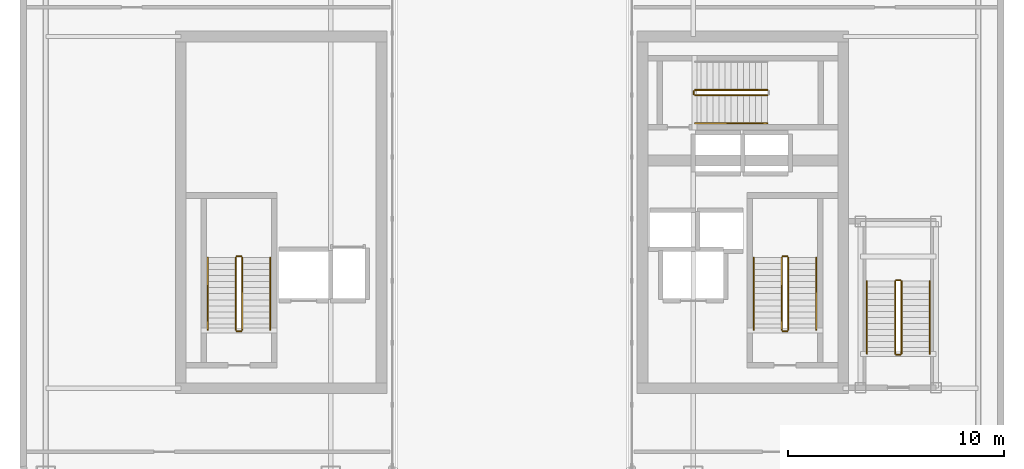
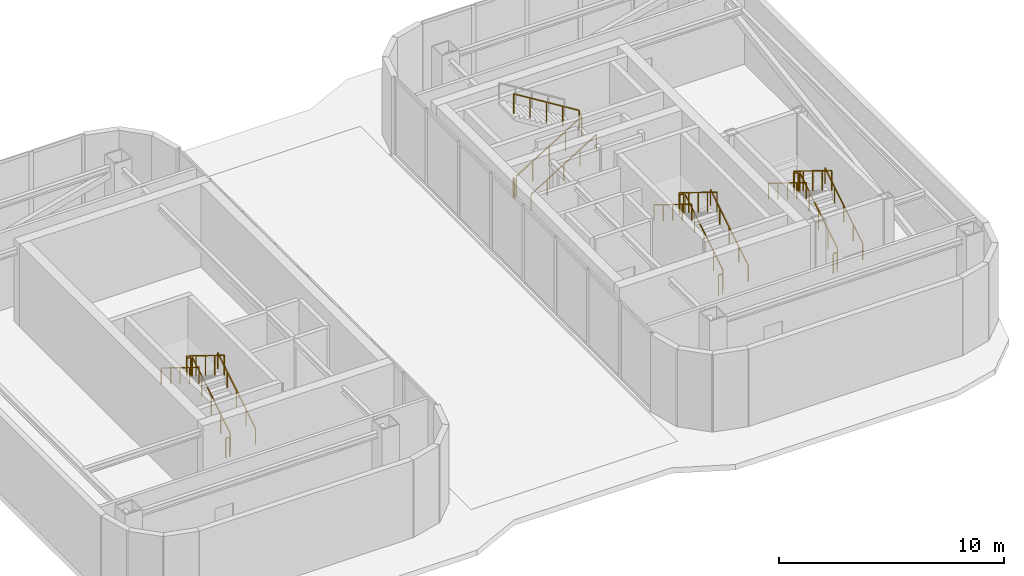
# One storey, part 13 of 14: 22 railings.
"""IFC4 building model written with IfcOpenShell, lengths in metres."""

from ifc_helpers import new_model, si_unit, direction, frame, origin, origin_2d, place, context, subcontext, project, spatial, rectangle, extrude, material, type_object, element, save


model = new_model("IFC4")

# Units and contexts
model_context = context("Model", 3, precision=1e-05, world=origin(), true_north=direction((0.0, 1.0)))
body_context = subcontext(model_context, "Body", "Model", "MODEL_VIEW")
ifc_project = project(units=[si_unit("LENGTHUNIT", "METRE"), si_unit("AREAUNIT", "SQUARE_METRE"), si_unit("VOLUMEUNIT", "CUBIC_METRE"), si_unit("PLANEANGLEUNIT", "RADIAN"), si_unit("MASSUNIT", "GRAM", prefix="KILO")], contexts=[model_context])

# Site, building, storey
site_placement = place(None, origin())
site = spatial("IfcSite", under=ifc_project, at=site_placement, CompositionType="ELEMENT")
building_placement = place(site_placement, origin())
building = spatial("IfcBuilding", under=site, at=building_placement, Name="Kiyonajd Concourse Tower", CompositionType="ELEMENT")
storey_placement = place(building_placement, frame((0.0, 0.0, 354.89990234375)))
storey = spatial("IfcBuildingStorey", under=building, at=storey_placement, Name="L89", CompositionType="ELEMENT", Elevation=354.89990234375)

# Railings
ifc_material_1 = material(Name="Steel ASTM A500 Grade C", Category="steel")
railing_type_1 = type_object("IfcRailingType", Name="RL-GRD-STR", PredefinedType="GUARDRAIL", material=ifc_material_1)
railing_1_placement = place(storey_placement, frame((35.5, 30.550048828125, 0.173095703125)))
element("IfcRailing", 1, at=railing_1_placement, inside=storey, type_object=railing_type_1, Name="L89 ST1 stair guard 1", PredefinedType="GUARDRAIL", context=body_context, shape_type="SweptSolid", body=[
    extrude(rectangle(XDim=0.048095703125, YDim=0.048095703125, at=origin_2d()), frame((0.0, 0.0, 1.076171875), z_axis=(0.0, 0.850606129759, 0.525803396734), x_axis=(-1.0, 0.0, 0.0)), (0.0, 0.0, 1.0), 3.949951171875),
    extrude(rectangle(XDim=0.0419921875, YDim=0.0419921875, at=origin_2d()), origin(), (0.0, 0.0, 1.0), 1.052001953125),
    extrude(rectangle(XDim=0.0419921875, YDim=0.0419921875, at=origin_2d()), frame((0.0, 0.83984375, 0.519287109375)), (0.0, 0.0, 1.0), 1.052001953125),
    extrude(rectangle(XDim=0.0419921875, YDim=0.0419921875, at=origin_2d()), frame((0.0, 1.679931640625, 1.03857421875)), (0.0, 0.0, 1.0), 1.052001953125),
    extrude(rectangle(XDim=0.0419921875, YDim=0.0419921875, at=origin_2d()), frame((0.0, 2.52001953125, 1.5576171875)), (0.0, 0.0, 1.0), 1.052001953125),
    extrude(rectangle(XDim=0.0419921875, YDim=0.0419921875, at=origin_2d()), frame((0.0, 3.35986328125, 2.076904296875)), (0.0, 0.0, 1.0), 1.052001953125),
])
railing_2_placement = place(storey_placement, frame((35.449951171875, 33.9599609375, 2.25)))
element("IfcRailing", 2, at=railing_2_placement, inside=storey, type_object=railing_type_1, Name="L89 ST1 stair guard 2", PredefinedType="GUARDRAIL", context=body_context, shape_type="SweptSolid", body=[
    extrude(rectangle(XDim=0.048095703125, YDim=0.048095703125, at=origin_2d()), frame((0.0, 0.0, 1.076171875), z_axis=(-1.0, 0.0, 0.0), x_axis=(0.0, -1.0, 0.0)), (0.0, 0.0, 1.0), 0.199951171875),
    extrude(rectangle(XDim=0.0419921875, YDim=0.0419921875, at=origin_2d()), origin(), (0.0, 0.0, 1.0), 1.052001953125),
    extrude(rectangle(XDim=0.0419921875, YDim=0.0419921875, at=origin_2d()), frame((-0.199951171875, 0.0, 0.0)), (0.0, 0.0, 1.0), 1.052001953125),
])
railing_3_placement = place(storey_placement, frame((35.199951171875, 33.909912109375, 2.423095703125)))
element("IfcRailing", 3, at=railing_3_placement, inside=storey, type_object=railing_type_1, Name="L89 ST1 stair guard 3", PredefinedType="GUARDRAIL", context=body_context, shape_type="SweptSolid", body=[
    extrude(rectangle(XDim=0.048095703125, YDim=0.048095703125, at=origin_2d()), frame((0.0, 0.0, 1.076171875), z_axis=(0.0, -0.850606129759, 0.525803396734), x_axis=(1.0, 0.0, 0.0)), (0.0, 0.0, 1.0), 3.949951171875),
    extrude(rectangle(XDim=0.0419921875, YDim=0.0419921875, at=origin_2d()), origin(), (0.0, 0.0, 1.0), 1.052001953125),
    extrude(rectangle(XDim=0.0419921875, YDim=0.0419921875, at=origin_2d()), frame((0.0, -0.83984375, 0.519287109375)), (0.0, 0.0, 1.0), 1.052001953125),
    extrude(rectangle(XDim=0.0419921875, YDim=0.0419921875, at=origin_2d()), frame((0.0, -1.679931640625, 1.03857421875)), (0.0, 0.0, 1.0), 1.052001953125),
    extrude(rectangle(XDim=0.0419921875, YDim=0.0419921875, at=origin_2d()), frame((0.0, -2.52001953125, 1.5576171875)), (0.0, 0.0, 1.0), 1.052001953125),
    extrude(rectangle(XDim=0.0419921875, YDim=0.0419921875, at=origin_2d()), frame((0.0, -3.35986328125, 2.076904296875)), (0.0, 0.0, 1.0), 1.052001953125),
])
railing_4_placement = place(storey_placement, frame((35.449951171875, 30.5, 0.0)))
element("IfcRailing", 4, at=railing_4_placement, inside=storey, type_object=railing_type_1, Name="L89 ST1 stair guard 4", PredefinedType="GUARDRAIL", context=body_context, shape_type="SweptSolid", body=[
    extrude(rectangle(XDim=0.048095703125, YDim=0.048095703125, at=origin_2d()), frame((0.0, 0.0, 1.076171875), z_axis=(-1.0, 0.0, 0.0), x_axis=(0.0, -1.0, 0.0)), (0.0, 0.0, 1.0), 0.199951171875),
    extrude(rectangle(XDim=0.0419921875, YDim=0.0419921875, at=origin_2d()), origin(), (0.0, 0.0, 1.0), 1.052001953125),
    extrude(rectangle(XDim=0.0419921875, YDim=0.0419921875, at=origin_2d()), frame((-0.199951171875, 0.0, 0.0)), (0.0, 0.0, 1.0), 1.052001953125),
])
railing_5_placement = place(storey_placement, frame((60.800048828125, 30.550048828125, 0.173095703125)))
element("IfcRailing", 5, at=railing_5_placement, inside=storey, type_object=railing_type_1, Name="L89 ST2 stair guard 1", PredefinedType="GUARDRAIL", context=body_context, shape_type="SweptSolid", body=[
    extrude(rectangle(XDim=0.048095703125, YDim=0.048095703125, at=origin_2d()), frame((0.0, 0.0, 1.076171875), z_axis=(0.0, 0.850606129759, 0.525803396734), x_axis=(-1.0, 0.0, 0.0)), (0.0, 0.0, 1.0), 3.949951171875),
    extrude(rectangle(XDim=0.0419921875, YDim=0.0419921875, at=origin_2d()), origin(), (0.0, 0.0, 1.0), 1.052001953125),
    extrude(rectangle(XDim=0.0419921875, YDim=0.0419921875, at=origin_2d()), frame((0.0, 0.83984375, 0.519287109375)), (0.0, 0.0, 1.0), 1.052001953125),
    extrude(rectangle(XDim=0.0419921875, YDim=0.0419921875, at=origin_2d()), frame((0.0, 1.679931640625, 1.03857421875)), (0.0, 0.0, 1.0), 1.052001953125),
    extrude(rectangle(XDim=0.0419921875, YDim=0.0419921875, at=origin_2d()), frame((0.0, 2.52001953125, 1.5576171875)), (0.0, 0.0, 1.0), 1.052001953125),
    extrude(rectangle(XDim=0.0419921875, YDim=0.0419921875, at=origin_2d()), frame((0.0, 3.35986328125, 2.076904296875)), (0.0, 0.0, 1.0), 1.052001953125),
])
railing_6_placement = place(storey_placement, frame((60.75, 33.9599609375, 2.25)))
element("IfcRailing", 6, at=railing_6_placement, inside=storey, type_object=railing_type_1, Name="L89 ST2 stair guard 2", PredefinedType="GUARDRAIL", context=body_context, shape_type="SweptSolid", body=[
    extrude(rectangle(XDim=0.048095703125, YDim=0.048095703125, at=origin_2d()), frame((0.0, 0.0, 1.076171875), z_axis=(-1.0, 0.0, 0.0), x_axis=(0.0, -1.0, 0.0)), (0.0, 0.0, 1.0), 0.199951171875),
    extrude(rectangle(XDim=0.0419921875, YDim=0.0419921875, at=origin_2d()), origin(), (0.0, 0.0, 1.0), 1.052001953125),
    extrude(rectangle(XDim=0.0419921875, YDim=0.0419921875, at=origin_2d()), frame((-0.199951171875, 0.0, 0.0)), (0.0, 0.0, 1.0), 1.052001953125),
])
railing_7_placement = place(storey_placement, frame((60.5, 33.909912109375, 2.423095703125)))
element("IfcRailing", 7, at=railing_7_placement, inside=storey, type_object=railing_type_1, Name="L89 ST2 stair guard 3", PredefinedType="GUARDRAIL", context=body_context, shape_type="SweptSolid", body=[
    extrude(rectangle(XDim=0.048095703125, YDim=0.048095703125, at=origin_2d()), frame((0.0, 0.0, 1.076171875), z_axis=(0.0, -0.850606129759, 0.525803396734), x_axis=(1.0, 0.0, 0.0)), (0.0, 0.0, 1.0), 3.949951171875),
    extrude(rectangle(XDim=0.0419921875, YDim=0.0419921875, at=origin_2d()), origin(), (0.0, 0.0, 1.0), 1.052001953125),
    extrude(rectangle(XDim=0.0419921875, YDim=0.0419921875, at=origin_2d()), frame((0.0, -0.83984375, 0.519287109375)), (0.0, 0.0, 1.0), 1.052001953125),
    extrude(rectangle(XDim=0.0419921875, YDim=0.0419921875, at=origin_2d()), frame((0.0, -1.679931640625, 1.03857421875)), (0.0, 0.0, 1.0), 1.052001953125),
    extrude(rectangle(XDim=0.0419921875, YDim=0.0419921875, at=origin_2d()), frame((0.0, -2.52001953125, 1.5576171875)), (0.0, 0.0, 1.0), 1.052001953125),
    extrude(rectangle(XDim=0.0419921875, YDim=0.0419921875, at=origin_2d()), frame((0.0, -3.35986328125, 2.076904296875)), (0.0, 0.0, 1.0), 1.052001953125),
])
railing_8_placement = place(storey_placement, frame((60.75, 30.5, 0.0)))
element("IfcRailing", 8, at=railing_8_placement, inside=storey, type_object=railing_type_1, Name="L89 ST2 stair guard 4", PredefinedType="GUARDRAIL", context=body_context, shape_type="SweptSolid", body=[
    extrude(rectangle(XDim=0.048095703125, YDim=0.048095703125, at=origin_2d()), frame((0.0, 0.0, 1.076171875), z_axis=(-1.0, 0.0, 0.0), x_axis=(0.0, -1.0, 0.0)), (0.0, 0.0, 1.0), 0.199951171875),
    extrude(rectangle(XDim=0.0419921875, YDim=0.0419921875, at=origin_2d()), origin(), (0.0, 0.0, 1.0), 1.052001953125),
    extrude(rectangle(XDim=0.0419921875, YDim=0.0419921875, at=origin_2d()), frame((-0.199951171875, 0.0, 0.0)), (0.0, 0.0, 1.0), 1.052001953125),
])
railing_9_placement = place(storey_placement, frame((56.47998046875, 41.429931640625, 0.173095703125)))
element("IfcRailing", 9, at=railing_9_placement, inside=storey, type_object=railing_type_1, Name="L89 ST3 stair guard 1", PredefinedType="GUARDRAIL", context=body_context, shape_type="SweptSolid", body=[
    extrude(rectangle(XDim=0.048095703125, YDim=0.048095703125, at=origin_2d()), frame((0.0, 0.0, 1.076171875), z_axis=(0.850623216509, 0.0, 0.525775754039), x_axis=(0.0, 1.0, 0.0)), (0.0, 0.0, 1.0), 3.9501953125),
    extrude(rectangle(XDim=0.0419921875, YDim=0.0419921875, at=origin_2d()), origin(), (0.0, 0.0, 1.0), 1.052001953125),
    extrude(rectangle(XDim=0.0419921875, YDim=0.0419921875, at=origin_2d()), frame((0.840087890625, 0.0, 0.519287109375)), (0.0, 0.0, 1.0), 1.052001953125),
    extrude(rectangle(XDim=0.0419921875, YDim=0.0419921875, at=origin_2d()), frame((1.68017578125, 0.0, 1.03857421875)), (0.0, 0.0, 1.0), 1.052001953125),
    extrude(rectangle(XDim=0.0419921875, YDim=0.0419921875, at=origin_2d()), frame((2.52001953125, 0.0, 1.5576171875)), (0.0, 0.0, 1.0), 1.052001953125),
    extrude(rectangle(XDim=0.0419921875, YDim=0.0419921875, at=origin_2d()), frame((3.360107421875, 0.0, 2.076904296875)), (0.0, 0.0, 1.0), 1.052001953125),
])
railing_10_placement = place(storey_placement, frame((59.840087890625, 41.669921875, 2.423095703125)))
element("IfcRailing", 10, at=railing_10_placement, inside=storey, type_object=railing_type_1, Name="L89 ST3 stair guard 3", PredefinedType="GUARDRAIL", context=body_context, shape_type="SweptSolid", body=[
    extrude(rectangle(XDim=0.048095703125, YDim=0.048095703125, at=origin_2d()), frame((0.0, 0.0, 1.076171875), z_axis=(-0.850623216509, 0.0, 0.525775754039), x_axis=(0.0, -1.0, 0.0)), (0.0, 0.0, 1.0), 3.9501953125),
    extrude(rectangle(XDim=0.0419921875, YDim=0.0419921875, at=origin_2d()), origin(), (0.0, 0.0, 1.0), 1.052001953125),
    extrude(rectangle(XDim=0.0419921875, YDim=0.0419921875, at=origin_2d()), frame((-0.840087890625, 0.0, 0.519287109375)), (0.0, 0.0, 1.0), 1.052001953125),
    extrude(rectangle(XDim=0.0419921875, YDim=0.0419921875, at=origin_2d()), frame((-1.68017578125, 0.0, 1.03857421875)), (0.0, 0.0, 1.0), 1.052001953125),
    extrude(rectangle(XDim=0.0419921875, YDim=0.0419921875, at=origin_2d()), frame((-2.52001953125, 0.0, 1.5576171875)), (0.0, 0.0, 1.0), 1.052001953125),
    extrude(rectangle(XDim=0.0419921875, YDim=0.0419921875, at=origin_2d()), frame((-3.360107421875, 0.0, 2.076904296875)), (0.0, 0.0, 1.0), 1.052001953125),
])
railing_11_placement = place(storey_placement, frame((56.429931640625, 41.47998046875, 0.0)))
element("IfcRailing", 11, at=railing_11_placement, inside=storey, type_object=railing_type_1, Name="L89 ST3 stair guard 4", PredefinedType="GUARDRAIL", context=body_context, shape_type="SweptSolid", body=[
    extrude(rectangle(XDim=0.048095703125, YDim=0.048095703125, at=origin_2d()), frame((0.0, 0.0, 1.076171875), z_axis=(0.0, 1.0, 0.0), x_axis=(-1.0, 0.0, 0.0)), (0.0, 0.0, 1.0), 0.14013671875),
    extrude(rectangle(XDim=0.0419921875, YDim=0.0419921875, at=origin_2d()), origin(), (0.0, 0.0, 1.0), 1.052001953125),
    extrude(rectangle(XDim=0.0419921875, YDim=0.0419921875, at=origin_2d()), frame((0.0, 0.14013671875, 0.0)), (0.0, 0.0, 1.0), 1.052001953125),
])
railing_12_placement = place(storey_placement, frame((66.050048828125, 29.449951171875, 0.173095703125)))
element("IfcRailing", 12, at=railing_12_placement, inside=storey, type_object=railing_type_1, Name="L89 ST6 stair guard 1", PredefinedType="GUARDRAIL", context=body_context, shape_type="SweptSolid", body=[
    extrude(rectangle(XDim=0.048095703125, YDim=0.048095703125, at=origin_2d()), frame((0.0, 0.0, 1.076171875), z_axis=(0.0, 0.850623216509, 0.525775754039), x_axis=(-1.0, 0.0, 0.0)), (0.0, 0.0, 1.0), 3.9501953125),
    extrude(rectangle(XDim=0.0419921875, YDim=0.0419921875, at=origin_2d()), origin(), (0.0, 0.0, 1.0), 1.052001953125),
    extrude(rectangle(XDim=0.0419921875, YDim=0.0419921875, at=origin_2d()), frame((0.0, 0.840087890625, 0.519287109375)), (0.0, 0.0, 1.0), 1.052001953125),
    extrude(rectangle(XDim=0.0419921875, YDim=0.0419921875, at=origin_2d()), frame((0.0, 1.68017578125, 1.03857421875)), (0.0, 0.0, 1.0), 1.052001953125),
    extrude(rectangle(XDim=0.0419921875, YDim=0.0419921875, at=origin_2d()), frame((0.0, 2.52001953125, 1.5576171875)), (0.0, 0.0, 1.0), 1.052001953125),
    extrude(rectangle(XDim=0.0419921875, YDim=0.0419921875, at=origin_2d()), frame((0.0, 3.360107421875, 2.076904296875)), (0.0, 0.0, 1.0), 1.052001953125),
])
railing_13_placement = place(storey_placement, frame((66.0, 32.860107421875, 2.25)))
element("IfcRailing", 13, at=railing_13_placement, inside=storey, type_object=railing_type_1, Name="L89 ST6 stair guard 2", PredefinedType="GUARDRAIL", context=body_context, shape_type="SweptSolid", body=[
    extrude(rectangle(XDim=0.048095703125, YDim=0.048095703125, at=origin_2d()), frame((0.0, 0.0, 1.076171875), z_axis=(-1.0, 0.0, 0.0), x_axis=(0.0, -1.0, 0.0)), (0.0, 0.0, 1.0), 0.199951171875),
    extrude(rectangle(XDim=0.0419921875, YDim=0.0419921875, at=origin_2d()), origin(), (0.0, 0.0, 1.0), 1.052001953125),
    extrude(rectangle(XDim=0.0419921875, YDim=0.0419921875, at=origin_2d()), frame((-0.199951171875, 0.0, 0.0)), (0.0, 0.0, 1.0), 1.052001953125),
])
railing_14_placement = place(storey_placement, frame((65.75, 32.81005859375, 2.423095703125)))
element("IfcRailing", 14, at=railing_14_placement, inside=storey, type_object=railing_type_1, Name="L89 ST6 stair guard 3", PredefinedType="GUARDRAIL", context=body_context, shape_type="SweptSolid", body=[
    extrude(rectangle(XDim=0.048095703125, YDim=0.048095703125, at=origin_2d()), frame((0.0, 0.0, 1.076171875), z_axis=(0.0, -0.850623216509, 0.525775754039), x_axis=(1.0, 0.0, 0.0)), (0.0, 0.0, 1.0), 3.9501953125),
    extrude(rectangle(XDim=0.0419921875, YDim=0.0419921875, at=origin_2d()), origin(), (0.0, 0.0, 1.0), 1.052001953125),
    extrude(rectangle(XDim=0.0419921875, YDim=0.0419921875, at=origin_2d()), frame((0.0, -0.840087890625, 0.519287109375)), (0.0, 0.0, 1.0), 1.052001953125),
    extrude(rectangle(XDim=0.0419921875, YDim=0.0419921875, at=origin_2d()), frame((0.0, -1.68017578125, 1.03857421875)), (0.0, 0.0, 1.0), 1.052001953125),
    extrude(rectangle(XDim=0.0419921875, YDim=0.0419921875, at=origin_2d()), frame((0.0, -2.52001953125, 1.5576171875)), (0.0, 0.0, 1.0), 1.052001953125),
    extrude(rectangle(XDim=0.0419921875, YDim=0.0419921875, at=origin_2d()), frame((0.0, -3.360107421875, 2.076904296875)), (0.0, 0.0, 1.0), 1.052001953125),
])
railing_15_placement = place(storey_placement, frame((66.0, 29.39990234375, 0.0)))
element("IfcRailing", 15, at=railing_15_placement, inside=storey, type_object=railing_type_1, Name="L89 ST6 stair guard 4", PredefinedType="GUARDRAIL", context=body_context, shape_type="SweptSolid", body=[
    extrude(rectangle(XDim=0.048095703125, YDim=0.048095703125, at=origin_2d()), frame((0.0, 0.0, 1.076171875), z_axis=(-1.0, 0.0, 0.0), x_axis=(0.0, -1.0, 0.0)), (0.0, 0.0, 1.0), 0.199951171875),
    extrude(rectangle(XDim=0.0419921875, YDim=0.0419921875, at=origin_2d()), origin(), (0.0, 0.0, 1.0), 1.052001953125),
    extrude(rectangle(XDim=0.0419921875, YDim=0.0419921875, at=origin_2d()), frame((-0.199951171875, 0.0, 0.0)), (0.0, 0.0, 1.0), 1.052001953125),
])
ifc_material_2 = material(Name="Brushed Stainless Steel Cab Assembly", Category="steel")
railing_type_2 = type_object("IfcRailingType", Name="RL-HND-900", PredefinedType="HANDRAIL", material=ifc_material_2)
railing_16_placement = place(storey_placement, frame((36.800048828125, 30.550048828125, 0.173095703125)))
element("IfcRailing", 16, at=railing_16_placement, inside=storey, type_object=railing_type_2, Name="L89 ST1 stair handrail 1", PredefinedType="HANDRAIL", context=body_context, shape_type="SweptSolid", body=[
    extrude(rectangle(XDim=0.048095703125, YDim=0.048095703125, at=origin_2d()), frame((0.0, 0.0, 0.8759765625), z_axis=(0.0, 0.850606129759, 0.525803396734), x_axis=(-1.0, 0.0, 0.0)), (0.0, 0.0, 1.0), 3.949951171875),
    extrude(rectangle(XDim=0.0419921875, YDim=0.0419921875, at=origin_2d()), origin(), (0.0, 0.0, 1.0), 0.851806640625),
    extrude(rectangle(XDim=0.0419921875, YDim=0.0419921875, at=origin_2d()), frame((0.0, 0.83984375, 0.519287109375)), (0.0, 0.0, 1.0), 0.851806640625),
    extrude(rectangle(XDim=0.0419921875, YDim=0.0419921875, at=origin_2d()), frame((0.0, 1.679931640625, 1.03857421875)), (0.0, 0.0, 1.0), 0.851806640625),
    extrude(rectangle(XDim=0.0419921875, YDim=0.0419921875, at=origin_2d()), frame((0.0, 2.52001953125, 1.5576171875)), (0.0, 0.0, 1.0), 0.851806640625),
    extrude(rectangle(XDim=0.0419921875, YDim=0.0419921875, at=origin_2d()), frame((0.0, 3.35986328125, 2.076904296875)), (0.0, 0.0, 1.0), 0.851806640625),
])
railing_17_placement = place(storey_placement, frame((33.89990234375, 33.909912109375, 2.423095703125)))
element("IfcRailing", 17, at=railing_17_placement, inside=storey, type_object=railing_type_2, Name="L89 ST1 stair handrail 2", PredefinedType="HANDRAIL", context=body_context, shape_type="SweptSolid", body=[
    extrude(rectangle(XDim=0.048095703125, YDim=0.048095703125, at=origin_2d()), frame((0.0, 0.0, 0.8759765625), z_axis=(0.0, -0.850606129759, 0.525803396734), x_axis=(1.0, 0.0, 0.0)), (0.0, 0.0, 1.0), 3.949951171875),
    extrude(rectangle(XDim=0.0419921875, YDim=0.0419921875, at=origin_2d()), origin(), (0.0, 0.0, 1.0), 0.851806640625),
    extrude(rectangle(XDim=0.0419921875, YDim=0.0419921875, at=origin_2d()), frame((0.0, -0.83984375, 0.519287109375)), (0.0, 0.0, 1.0), 0.851806640625),
    extrude(rectangle(XDim=0.0419921875, YDim=0.0419921875, at=origin_2d()), frame((0.0, -1.679931640625, 1.03857421875)), (0.0, 0.0, 1.0), 0.851806640625),
    extrude(rectangle(XDim=0.0419921875, YDim=0.0419921875, at=origin_2d()), frame((0.0, -2.52001953125, 1.5576171875)), (0.0, 0.0, 1.0), 0.851806640625),
    extrude(rectangle(XDim=0.0419921875, YDim=0.0419921875, at=origin_2d()), frame((0.0, -3.35986328125, 2.076904296875)), (0.0, 0.0, 1.0), 0.851806640625),
])
railing_18_placement = place(storey_placement, frame((62.10009765625, 30.550048828125, 0.173095703125)))
element("IfcRailing", 18, at=railing_18_placement, inside=storey, type_object=railing_type_2, Name="L89 ST2 stair handrail 1", PredefinedType="HANDRAIL", context=body_context, shape_type="SweptSolid", body=[
    extrude(rectangle(XDim=0.048095703125, YDim=0.048095703125, at=origin_2d()), frame((0.0, 0.0, 0.8759765625), z_axis=(0.0, 0.850606129759, 0.525803396734), x_axis=(-1.0, 0.0, 0.0)), (0.0, 0.0, 1.0), 3.949951171875),
    extrude(rectangle(XDim=0.0419921875, YDim=0.0419921875, at=origin_2d()), origin(), (0.0, 0.0, 1.0), 0.851806640625),
    extrude(rectangle(XDim=0.0419921875, YDim=0.0419921875, at=origin_2d()), frame((0.0, 0.83984375, 0.519287109375)), (0.0, 0.0, 1.0), 0.851806640625),
    extrude(rectangle(XDim=0.0419921875, YDim=0.0419921875, at=origin_2d()), frame((0.0, 1.679931640625, 1.03857421875)), (0.0, 0.0, 1.0), 0.851806640625),
    extrude(rectangle(XDim=0.0419921875, YDim=0.0419921875, at=origin_2d()), frame((0.0, 2.52001953125, 1.5576171875)), (0.0, 0.0, 1.0), 0.851806640625),
    extrude(rectangle(XDim=0.0419921875, YDim=0.0419921875, at=origin_2d()), frame((0.0, 3.35986328125, 2.076904296875)), (0.0, 0.0, 1.0), 0.851806640625),
])
railing_19_placement = place(storey_placement, frame((59.199951171875, 33.909912109375, 2.423095703125)))
element("IfcRailing", 19, at=railing_19_placement, inside=storey, type_object=railing_type_2, Name="L89 ST2 stair handrail 2", PredefinedType="HANDRAIL", context=body_context, shape_type="SweptSolid", body=[
    extrude(rectangle(XDim=0.048095703125, YDim=0.048095703125, at=origin_2d()), frame((0.0, 0.0, 0.8759765625), z_axis=(0.0, -0.850606129759, 0.525803396734), x_axis=(1.0, 0.0, 0.0)), (0.0, 0.0, 1.0), 3.949951171875),
    extrude(rectangle(XDim=0.0419921875, YDim=0.0419921875, at=origin_2d()), origin(), (0.0, 0.0, 1.0), 0.851806640625),
    extrude(rectangle(XDim=0.0419921875, YDim=0.0419921875, at=origin_2d()), frame((0.0, -0.83984375, 0.519287109375)), (0.0, 0.0, 1.0), 0.851806640625),
    extrude(rectangle(XDim=0.0419921875, YDim=0.0419921875, at=origin_2d()), frame((0.0, -1.679931640625, 1.03857421875)), (0.0, 0.0, 1.0), 0.851806640625),
    extrude(rectangle(XDim=0.0419921875, YDim=0.0419921875, at=origin_2d()), frame((0.0, -2.52001953125, 1.5576171875)), (0.0, 0.0, 1.0), 0.851806640625),
    extrude(rectangle(XDim=0.0419921875, YDim=0.0419921875, at=origin_2d()), frame((0.0, -3.35986328125, 2.076904296875)), (0.0, 0.0, 1.0), 0.851806640625),
])
railing_20_placement = place(storey_placement, frame((56.47998046875, 40.1298828125, 0.173095703125)))
element("IfcRailing", 20, at=railing_20_placement, inside=storey, type_object=railing_type_2, Name="L89 ST3 stair handrail 1", PredefinedType="HANDRAIL", context=body_context, shape_type="SweptSolid", body=[
    extrude(rectangle(XDim=0.048095703125, YDim=0.048095703125, at=origin_2d()), frame((0.0, 0.0, 0.8759765625), z_axis=(0.850623216509, 0.0, 0.525775754039), x_axis=(0.0, 1.0, 0.0)), (0.0, 0.0, 1.0), 3.9501953125),
    extrude(rectangle(XDim=0.0419921875, YDim=0.0419921875, at=origin_2d()), origin(), (0.0, 0.0, 1.0), 0.851806640625),
    extrude(rectangle(XDim=0.0419921875, YDim=0.0419921875, at=origin_2d()), frame((0.840087890625, 0.0, 0.519287109375)), (0.0, 0.0, 1.0), 0.851806640625),
    extrude(rectangle(XDim=0.0419921875, YDim=0.0419921875, at=origin_2d()), frame((1.68017578125, 0.0, 1.03857421875)), (0.0, 0.0, 1.0), 0.851806640625),
    extrude(rectangle(XDim=0.0419921875, YDim=0.0419921875, at=origin_2d()), frame((2.52001953125, 0.0, 1.5576171875)), (0.0, 0.0, 1.0), 0.851806640625),
    extrude(rectangle(XDim=0.0419921875, YDim=0.0419921875, at=origin_2d()), frame((3.360107421875, 0.0, 2.076904296875)), (0.0, 0.0, 1.0), 0.851806640625),
])
railing_21_placement = place(storey_placement, frame((67.35009765625, 29.449951171875, 0.173095703125)))
element("IfcRailing", 21, at=railing_21_placement, inside=storey, type_object=railing_type_2, Name="L89 ST6 stair handrail 1", PredefinedType="HANDRAIL", context=body_context, shape_type="SweptSolid", body=[
    extrude(rectangle(XDim=0.048095703125, YDim=0.048095703125, at=origin_2d()), frame((0.0, 0.0, 0.8759765625), z_axis=(0.0, 0.850623216509, 0.525775754039), x_axis=(-1.0, 0.0, 0.0)), (0.0, 0.0, 1.0), 3.9501953125),
    extrude(rectangle(XDim=0.0419921875, YDim=0.0419921875, at=origin_2d()), origin(), (0.0, 0.0, 1.0), 0.851806640625),
    extrude(rectangle(XDim=0.0419921875, YDim=0.0419921875, at=origin_2d()), frame((0.0, 0.840087890625, 0.519287109375)), (0.0, 0.0, 1.0), 0.851806640625),
    extrude(rectangle(XDim=0.0419921875, YDim=0.0419921875, at=origin_2d()), frame((0.0, 1.68017578125, 1.03857421875)), (0.0, 0.0, 1.0), 0.851806640625),
    extrude(rectangle(XDim=0.0419921875, YDim=0.0419921875, at=origin_2d()), frame((0.0, 2.52001953125, 1.5576171875)), (0.0, 0.0, 1.0), 0.851806640625),
    extrude(rectangle(XDim=0.0419921875, YDim=0.0419921875, at=origin_2d()), frame((0.0, 3.360107421875, 2.076904296875)), (0.0, 0.0, 1.0), 0.851806640625),
])
railing_22_placement = place(storey_placement, frame((64.449951171875, 32.81005859375, 2.423095703125)))
element("IfcRailing", 22, at=railing_22_placement, inside=storey, type_object=railing_type_2, Name="L89 ST6 stair handrail 2", PredefinedType="HANDRAIL", context=body_context, shape_type="SweptSolid", body=[
    extrude(rectangle(XDim=0.048095703125, YDim=0.048095703125, at=origin_2d()), frame((0.0, 0.0, 0.8759765625), z_axis=(0.0, -0.850623216509, 0.525775754039), x_axis=(1.0, 0.0, 0.0)), (0.0, 0.0, 1.0), 3.9501953125),
    extrude(rectangle(XDim=0.0419921875, YDim=0.0419921875, at=origin_2d()), origin(), (0.0, 0.0, 1.0), 0.851806640625),
    extrude(rectangle(XDim=0.0419921875, YDim=0.0419921875, at=origin_2d()), frame((0.0, -0.840087890625, 0.519287109375)), (0.0, 0.0, 1.0), 0.851806640625),
    extrude(rectangle(XDim=0.0419921875, YDim=0.0419921875, at=origin_2d()), frame((0.0, -1.68017578125, 1.03857421875)), (0.0, 0.0, 1.0), 0.851806640625),
    extrude(rectangle(XDim=0.0419921875, YDim=0.0419921875, at=origin_2d()), frame((0.0, -2.52001953125, 1.5576171875)), (0.0, 0.0, 1.0), 0.851806640625),
    extrude(rectangle(XDim=0.0419921875, YDim=0.0419921875, at=origin_2d()), frame((0.0, -3.360107421875, 2.076904296875)), (0.0, 0.0, 1.0), 0.851806640625),
])

save(model, "model.ifc")
